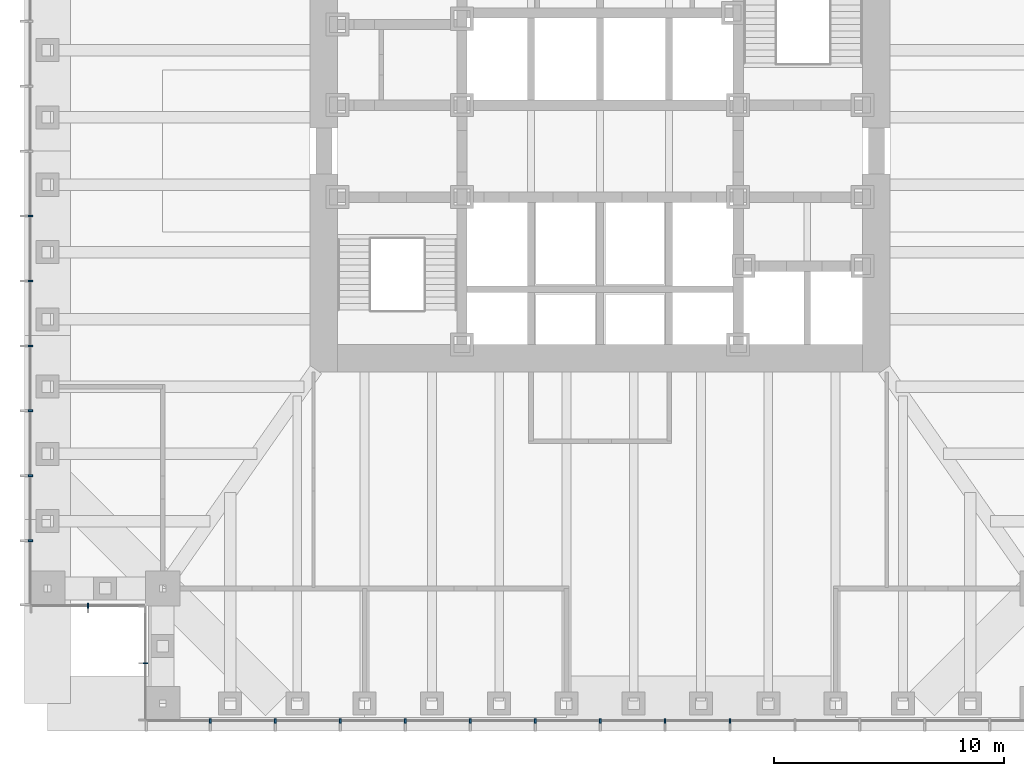
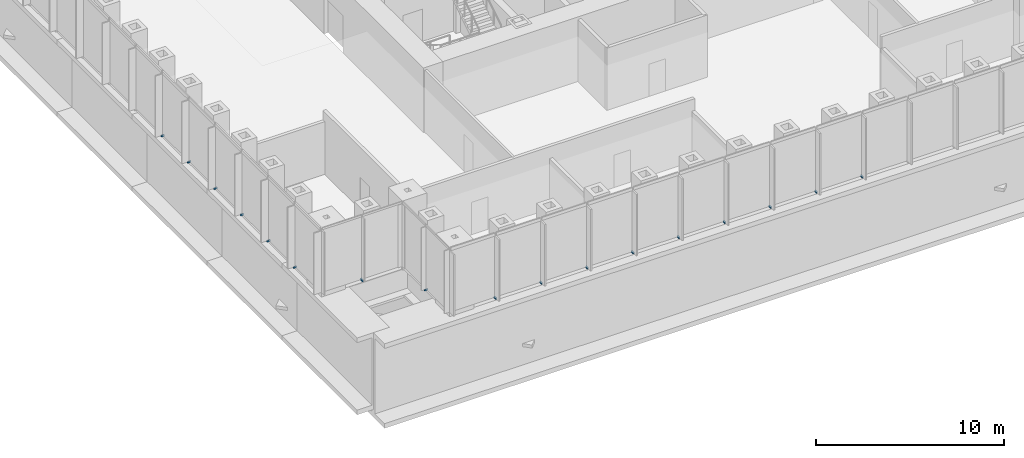
# One storey, part 11 of 16: 17 discrete accessories.
"""IFC4 building model written with IfcOpenShell, lengths in metres."""

from ifc_helpers import new_model, si_unit, direction, frame, origin, origin_2d, place, context, subcontext, project, spatial, rectangle, extrude, element, save


model = new_model("IFC4")

# Units and contexts
model_context = context("Model", 3, precision=1e-05, world=origin(), true_north=direction((0.0, 1.0)))
body_context = subcontext(model_context, "Body", "Model", "MODEL_VIEW")
ifc_project = project(units=[si_unit("LENGTHUNIT", "METRE"), si_unit("AREAUNIT", "SQUARE_METRE"), si_unit("VOLUMEUNIT", "CUBIC_METRE"), si_unit("PLANEANGLEUNIT", "RADIAN"), si_unit("MASSUNIT", "GRAM", prefix="KILO")], contexts=[model_context])

# Site, building, storey
site_placement = place(None, origin())
site = spatial("IfcSite", under=ifc_project, at=site_placement, CompositionType="ELEMENT")
building_placement = place(site_placement, origin())
building = spatial("IfcBuilding", under=site, at=building_placement, Name="Daluyong Arena Tower", CompositionType="ELEMENT")
storey_placement = place(building_placement, frame((0.0, 0.0, 34.89990234375)))
storey = spatial("IfcBuildingStorey", under=building, at=storey_placement, Name="L06", CompositionType="ELEMENT", Elevation=34.89990234375)

# Discrete accessories
for number, where, z_axis, x_axis, name in (
    (1, (39.071533203125, 55.25, -0.099853515625), (0.0, 0.0, 1.0), (1.0, 0.0, 0.0), "curtain wall L06 S anchor bracket 2"),
    (2, (41.892822265625, 55.25, -0.099853515625), (0.0, 0.0, 1.0), (1.0, 0.0, 0.0), "curtain wall L06 S anchor bracket 3"),
    (3, (44.71435546875, 55.25, -0.099853515625), (0.0, 0.0, 1.0), (1.0, 0.0, 0.0), "curtain wall L06 S anchor bracket 4"),
    (4, (47.53564453125, 55.25, -0.099853515625), (0.0, 0.0, 1.0), (1.0, 0.0, 0.0), "curtain wall L06 S anchor bracket 5"),
    (5, (50.357177734375, 55.25, -0.099853515625), (0.0, 0.0, 1.0), (1.0, 0.0, 0.0), "curtain wall L06 S anchor bracket 6"),
    (6, (53.178466796875, 55.25, -0.099853515625), (0.0, 0.0, 1.0), (1.0, 0.0, 0.0), "curtain wall L06 S anchor bracket 7"),
    (7, (56.0, 55.25, -0.099853515625), (0.0, 0.0, 1.0), (1.0, 0.0, 0.0), "curtain wall L06 S anchor bracket 8"),
    (8, (58.821533203125, 55.25, -0.099853515625), (0.0, 0.0, 1.0), (1.0, 0.0, 0.0), "curtain wall L06 S anchor bracket 9"),
    (9, (61.642822265625, 55.25, -0.099853515625), (0.0, 0.0, 1.0), (1.0, 0.0, 0.0), "curtain wall L06 S anchor bracket 10"),
    (10, (31.25, 77.178466796875, -0.099853515625), (0.0, 0.0, 1.0), (0.0, -1.0, 0.0), "curtain wall L06 W anchor bracket 9"),
    (11, (31.25, 74.357177734375, -0.099853515625), (0.0, 0.0, 1.0), (0.0, -1.0, 0.0), "curtain wall L06 W anchor bracket 10"),
    (12, (31.25, 71.53564453125, -0.099853515625), (0.0, 0.0, 1.0), (0.0, -1.0, 0.0), "curtain wall L06 W anchor bracket 11"),
    (13, (31.25, 68.71435546875, -0.099853515625), (0.0, 0.0, 1.0), (0.0, -1.0, 0.0), "curtain wall L06 W anchor bracket 12"),
    (14, (31.25, 65.892822265625, -0.099853515625), (0.0, 0.0, 1.0), (0.0, -1.0, 0.0), "curtain wall L06 W anchor bracket 13"),
    (15, (31.25, 63.071533203125, -0.099853515625), (0.0, 0.0, 1.0), (0.0, -1.0, 0.0), "curtain wall L06 W anchor bracket 14"),
):
    element("IfcDiscreteAccessory", number, at=place(storey_placement, frame(where, z_axis=z_axis, x_axis=x_axis)), inside=storey, Name=name, PredefinedType="BRACKET", context=body_context, shape_type="SweptSolid", body=[
        extrude(rectangle(XDim=0.080078125, YDim=0.199951171875, at=origin_2d()), origin(), (0.0, 0.0, 1.0), 0.10009765625),
    ])
for number, where, z_axis, x_axis, name in (
    (16, (33.75, 60.25, -0.099853515625), (0.0, 0.0, 1.0), (1.0, 0.0, 0.0), "curtain wall L06 SW-S anchor bracket 2"),
    (17, (36.25, 57.75, -0.099853515625), (0.0, 0.0, 1.0), (0.0, -1.0, 0.0), "curtain wall L06 SW-W anchor bracket 2"),
):
    element("IfcDiscreteAccessory", number, at=place(storey_placement, frame(where, z_axis=z_axis, x_axis=x_axis)), inside=storey, Name=name, PredefinedType="BRACKET", context=body_context, shape_type="SweptSolid", body=[
        extrude(rectangle(XDim=0.06005859375, YDim=0.199951171875, at=origin_2d()), origin(), (0.0, 0.0, 1.0), 0.10009765625),
    ])

save(model, "model.ifc")
